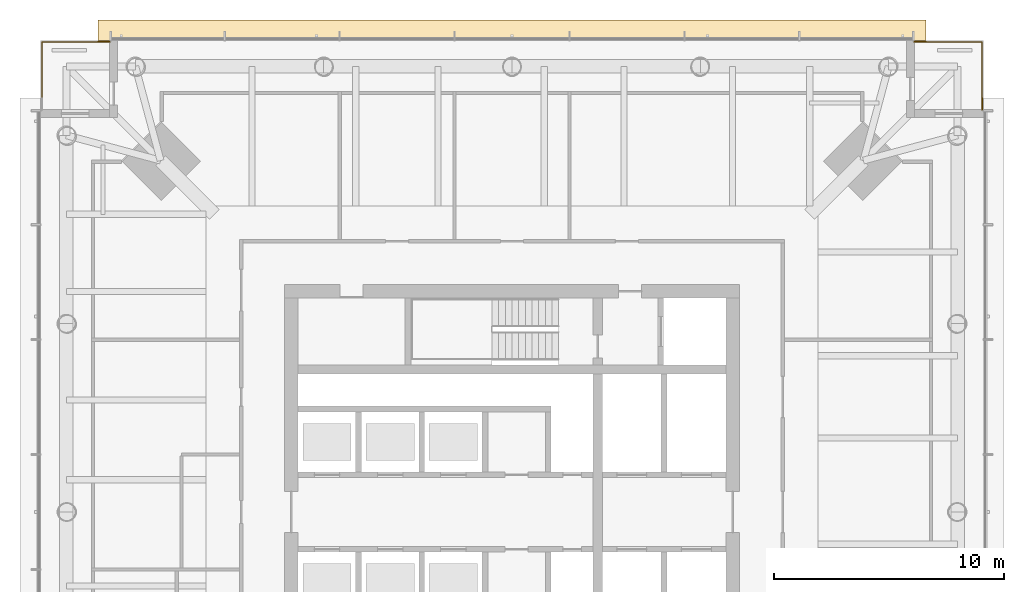
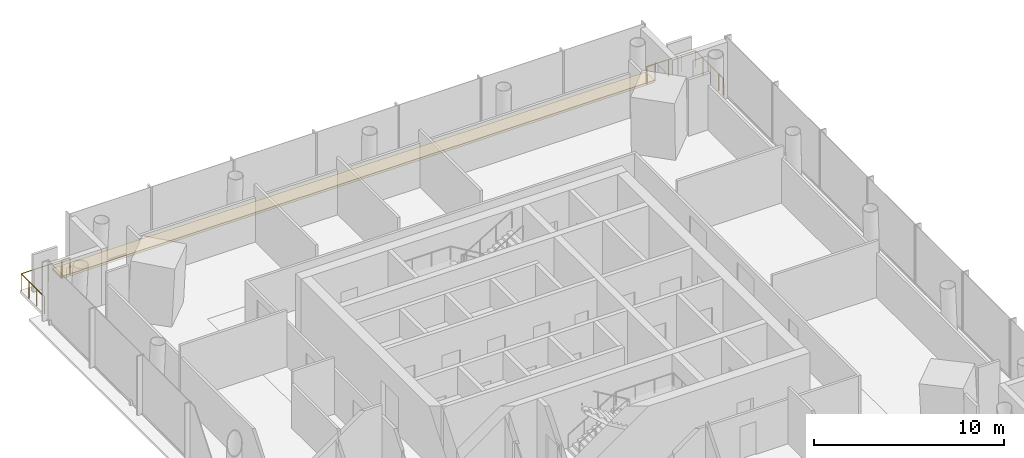
# One storey, part 11 of 12: 5 railings, 1 covering.
"""IFC4 building model written with IfcOpenShell, lengths in metres."""

from ifc_helpers import new_model, si_unit, direction, frame, origin, origin_2d, place, context, subcontext, project, spatial, polyline, circle, outline, extrude, material, layer, layer_set, type_object, element, save


model = new_model("IFC4")

# Units and contexts
model_context = context("Model", 3, precision=1e-05, world=origin(), true_north=direction((0.0, 1.0)))
body_context = subcontext(model_context, "Body", "Model", "MODEL_VIEW")
ifc_project = project(units=[si_unit("LENGTHUNIT", "METRE"), si_unit("AREAUNIT", "SQUARE_METRE"), si_unit("VOLUMEUNIT", "CUBIC_METRE"), si_unit("PLANEANGLEUNIT", "RADIAN"), si_unit("MASSUNIT", "GRAM", prefix="KILO")], contexts=[model_context])

# Site, building, storey
site_placement = place(None, origin())
site = spatial("IfcSite", under=ifc_project, at=site_placement, CompositionType="ELEMENT")
building_placement = place(site_placement, origin())
building = spatial("IfcBuilding", under=site, at=building_placement, Name="Ostroluk Exchange", CompositionType="ELEMENT")
storey_placement = place(building_placement, frame((0.0, 0.0, 165.39990234375)))
storey = spatial("IfcBuildingStorey", under=building, at=storey_placement, Name="L42", CompositionType="ELEMENT", Elevation=165.39990234375)

# Railings
ifc_material_1 = material(Name="Stainless steel", Category="steel")
railing_type_1 = type_object("IfcRailingType", Name="Guard 1100 stainless steel", PredefinedType="GUARDRAIL", material=ifc_material_1)
railing_1_placement = place(storey_placement, frame((63.0, 66.449951171875, 0.0)))
element("IfcRailing", 1, at=railing_1_placement, inside=storey, type_object=railing_type_1, Name="Office tower NE balcony guard L42", PredefinedType="GUARDRAIL", context=body_context, shape_type="SweptSolid", body=[
    extrude(circle(Radius=0.02392578125, at=origin_2d()), frame((0.0, 0.0, 1.076171875), z_axis=(1.0, 0.0, 0.0), x_axis=(0.0, 1.0, 0.0)), (0.0, 0.0, 1.0), 2.449951171875),
    extrude(circle(Radius=0.02392578125, at=origin_2d()), frame((2.449951171875, 0.0, 1.076171875), z_axis=(0.0, -1.0, 0.0), x_axis=(1.0, 0.0, 0.0)), (0.0, 0.0, 1.0), 2.449951171875),
    extrude(circle(Radius=0.02099609375, at=origin_2d()), origin(), (0.0, 0.0, 1.0), 1.052001953125),
    extrude(circle(Radius=0.02099609375, at=origin_2d()), frame((0.816650390625, 0.0, 0.0)), (0.0, 0.0, 1.0), 1.052001953125),
    extrude(circle(Radius=0.02099609375, at=origin_2d()), frame((1.63330078125, 0.0, 0.0)), (0.0, 0.0, 1.0), 1.052001953125),
    extrude(circle(Radius=0.02099609375, at=origin_2d()), frame((2.449951171875, 0.0, 0.0)), (0.0, 0.0, 1.0), 1.052001953125),
    extrude(circle(Radius=0.02099609375, at=origin_2d()), frame((2.449951171875, -0.816650390625, 0.0)), (0.0, 0.0, 1.0), 1.052001953125),
    extrude(circle(Radius=0.02099609375, at=origin_2d()), frame((2.449951171875, -1.63330078125, 0.0)), (0.0, 0.0, 1.0), 1.052001953125),
    extrude(circle(Radius=0.02099609375, at=origin_2d()), frame((2.449951171875, -2.449951171875, 0.0)), (0.0, 0.0, 1.0), 1.052001953125),
])
railing_2_placement = place(storey_placement, frame((27.0, 66.449951171875, 0.0)))
element("IfcRailing", 2, at=railing_2_placement, inside=storey, type_object=railing_type_1, Name="Office tower NW balcony guard L42", PredefinedType="GUARDRAIL", context=body_context, shape_type="SweptSolid", body=[
    extrude(circle(Radius=0.02392578125, at=origin_2d()), frame((0.0, 0.0, 1.076171875), z_axis=(-1.0, 0.0, 0.0), x_axis=(0.0, -1.0, 0.0)), (0.0, 0.0, 1.0), 2.449951171875),
    extrude(circle(Radius=0.02392578125, at=origin_2d()), frame((-2.449951171875, 0.0, 1.076171875), z_axis=(0.0, -1.0, 0.0), x_axis=(1.0, 0.0, 0.0)), (0.0, 0.0, 1.0), 2.449951171875),
    extrude(circle(Radius=0.02099609375, at=origin_2d()), origin(), (0.0, 0.0, 1.0), 1.052001953125),
    extrude(circle(Radius=0.02099609375, at=origin_2d()), frame((-0.816650390625, 0.0, 0.0)), (0.0, 0.0, 1.0), 1.052001953125),
    extrude(circle(Radius=0.02099609375, at=origin_2d()), frame((-1.63330078125, 0.0, 0.0)), (0.0, 0.0, 1.0), 1.052001953125),
    extrude(circle(Radius=0.02099609375, at=origin_2d()), frame((-2.449951171875, 0.0, 0.0)), (0.0, 0.0, 1.0), 1.052001953125),
    extrude(circle(Radius=0.02099609375, at=origin_2d()), frame((-2.449951171875, -0.816650390625, 0.0)), (0.0, 0.0, 1.0), 1.052001953125),
    extrude(circle(Radius=0.02099609375, at=origin_2d()), frame((-2.449951171875, -1.63330078125, 0.0)), (0.0, 0.0, 1.0), 1.052001953125),
    extrude(circle(Radius=0.02099609375, at=origin_2d()), frame((-2.449951171875, -2.449951171875, 0.0)), (0.0, 0.0, 1.0), 1.052001953125),
])
ifc_material_2 = material(Name="Stainless steel", Category="steel")
railing_type_2 = type_object("IfcRailingType", Name="Lockable maintenance gate 1100", PredefinedType="GUARDRAIL", material=ifc_material_2)
railing_3_placement = place(storey_placement, frame((62.5, 66.449951171875, 0.0)))
element("IfcRailing", 3, at=railing_3_placement, inside=storey, type_object=railing_type_2, Name="Lockable maintenance gate T1 L42 NE", PredefinedType="GUARDRAIL", context=body_context, shape_type="SweptSolid", body=[
    extrude(circle(Radius=0.02392578125, at=origin_2d()), frame((0.0, 0.0, 1.076171875), z_axis=(1.0, 0.0, 0.0), x_axis=(0.0, 1.0, 0.0)), (0.0, 0.0, 1.0), 0.5),
    extrude(circle(Radius=0.02099609375, at=origin_2d()), origin(), (0.0, 0.0, 1.0), 1.052001953125),
    extrude(circle(Radius=0.02099609375, at=origin_2d()), frame((0.5, 0.0, 0.0)), (0.0, 0.0, 1.0), 1.052001953125),
])
railing_4_placement = place(storey_placement, frame((65.449951171875, 64.0, 0.0)))
element("IfcRailing", 4, at=railing_4_placement, inside=storey, type_object=railing_type_2, Name="Lockable maintenance gate T1 L42 NE", PredefinedType="GUARDRAIL", context=body_context, shape_type="SweptSolid", body=[
    extrude(circle(Radius=0.02392578125, at=origin_2d()), frame((0.0, 0.0, 1.076171875), z_axis=(0.0, -1.0, 0.0), x_axis=(1.0, 0.0, 0.0)), (0.0, 0.0, 1.0), 0.5),
    extrude(circle(Radius=0.02099609375, at=origin_2d()), origin(), (0.0, 0.0, 1.0), 1.052001953125),
    extrude(circle(Radius=0.02099609375, at=origin_2d()), frame((0.0, -0.5, 0.0)), (0.0, 0.0, 1.0), 1.052001953125),
])
railing_5_placement = place(storey_placement, frame((27.5, 66.449951171875, 0.0)))
element("IfcRailing", 5, at=railing_5_placement, inside=storey, type_object=railing_type_2, Name="Lockable maintenance gate T1 L42 NW", PredefinedType="GUARDRAIL", context=body_context, shape_type="SweptSolid", body=[
    extrude(circle(Radius=0.02392578125, at=origin_2d()), frame((0.0, 0.0, 1.076171875), z_axis=(-1.0, 0.0, 0.0), x_axis=(0.0, -1.0, 0.0)), (0.0, 0.0, 1.0), 0.5),
    extrude(circle(Radius=0.02099609375, at=origin_2d()), origin(), (0.0, 0.0, 1.0), 1.052001953125),
    extrude(circle(Radius=0.02099609375, at=origin_2d()), frame((-0.5, 0.0, 0.0)), (0.0, 0.0, 1.0), 1.052001953125),
])

# Covering
ifc_material_3 = material(Name="Insulated steel roof deck with membrane, laid to falls, aluminium coping", Category="steel")
ifc_layer = layer(ifc_material_3, 0.14990234375)
ifc_layer_set = layer_set([ifc_layer], Name="Setback maintenance roof")
covering_type = type_object("IfcCoveringType", Name="Setback maintenance roof", PredefinedType="ROOFING", material=ifc_layer_set)
covering_placement = place(storey_placement, frame((0.0, 0.0, -0.14990234375)))
element("IfcCovering", 6, at=covering_placement, inside=storey, type_object=covering_type, Name="Maintenance roof, setback L42 north", PredefinedType="ROOFING", context=body_context, shape_type="SweptSolid", body=[
    extrude(outline(polyline([(27.0, 67.39990234375), (63.0, 67.39990234375), (63.0, 66.5), (27.0, 66.5), (27.0, 67.39990234375)])), origin(), (0.0, 0.0, 1.0), 0.14990234375),
])

save(model, "model.ifc")
